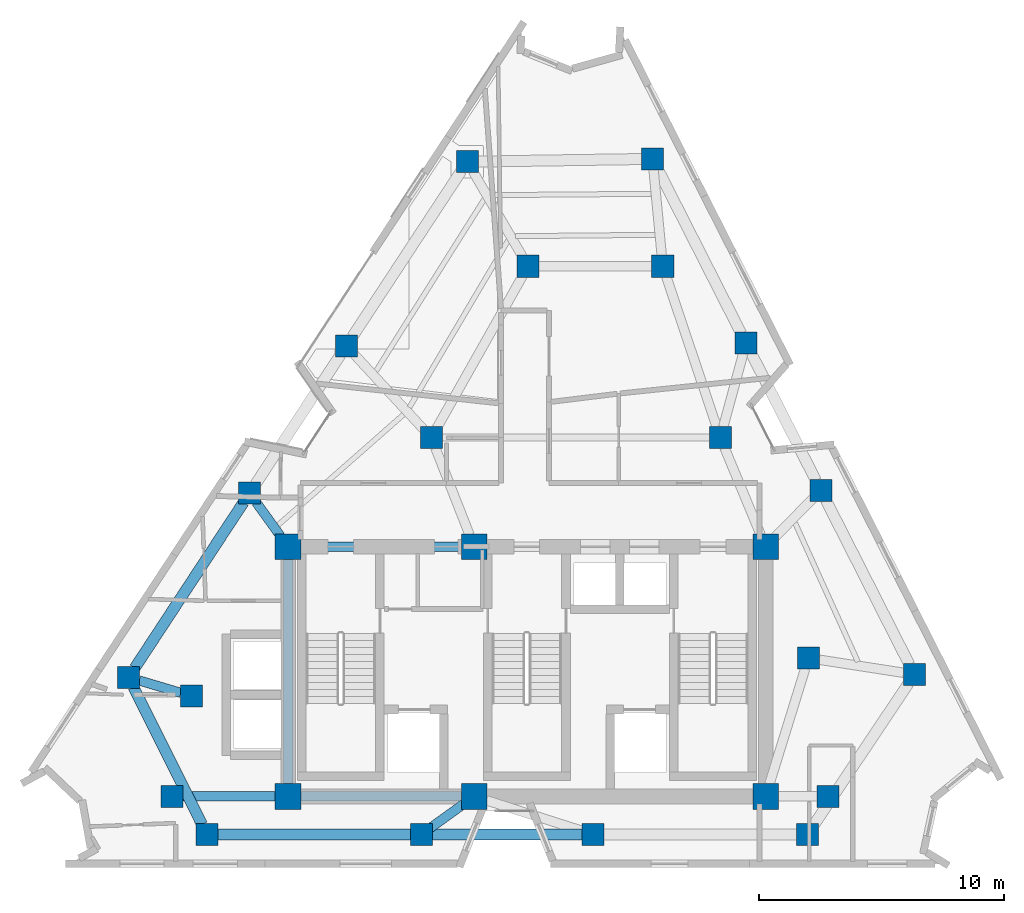
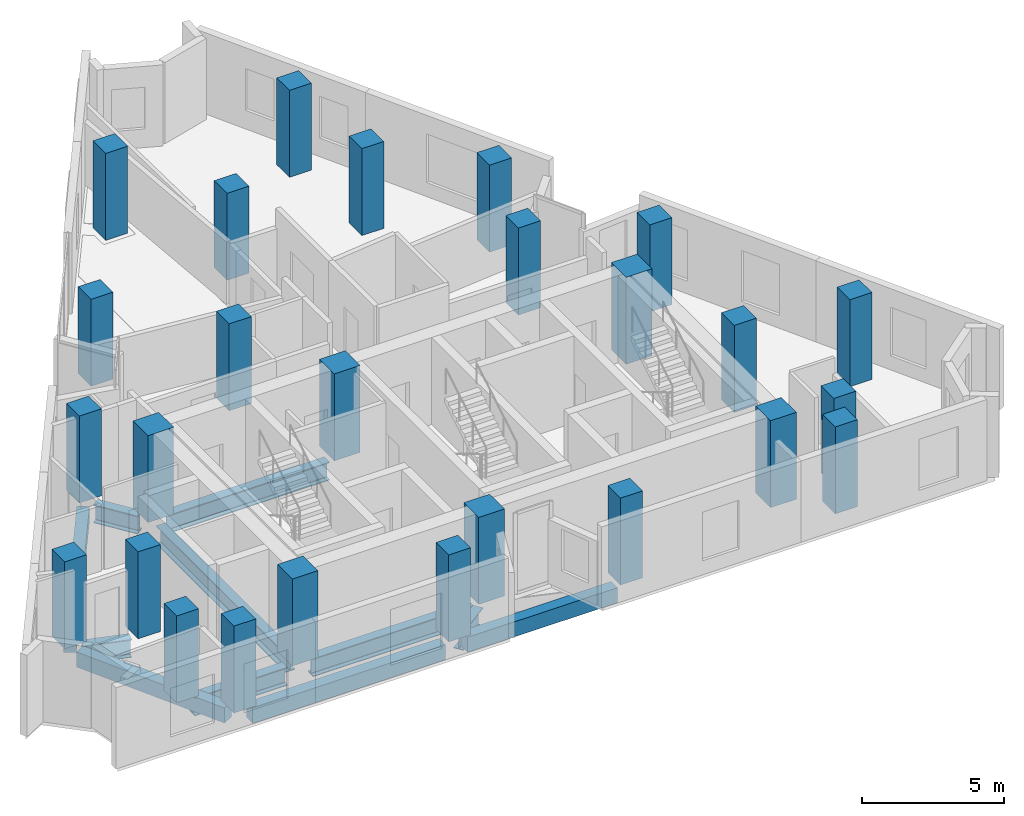
# One storey, part 1 of 8: 26 columns, 11 beams.
"""IFC4 building model written with IfcOpenShell, lengths in metres."""

from ifc_helpers import new_model, si_unit, direction, frame, origin, origin_2d, place, context, subcontext, project, spatial, rectangle, i_section, extrude, material, material_profile, profile_set, type_object, element, save


model = new_model("IFC4")

# Units and contexts
model_context = context("Model", 3, precision=1e-05, world=origin(), true_north=direction((0.0, 1.0)))
body_context = subcontext(model_context, "Body", "Model", "MODEL_VIEW")
ifc_project = project(units=[si_unit("LENGTHUNIT", "METRE"), si_unit("AREAUNIT", "SQUARE_METRE"), si_unit("VOLUMEUNIT", "CUBIC_METRE"), si_unit("PLANEANGLEUNIT", "RADIAN"), si_unit("MASSUNIT", "GRAM", prefix="KILO")], contexts=[model_context])

# Site, building, storey
site_placement = place(None, origin())
site = spatial("IfcSite", under=ifc_project, at=site_placement, CompositionType="ELEMENT")
building_placement = place(site_placement, origin())
building = spatial("IfcBuilding", under=site, at=building_placement, Name="Almagre Mirador Tower", CompositionType="ELEMENT")
storey_placement = place(building_placement, frame((0.0, 0.0, 240.75)))
storey = spatial("IfcBuildingStorey", under=building, at=storey_placement, Name="L62", CompositionType="ELEMENT", Elevation=240.75)

# Columns
ifc_material_1 = material(Name="Concrete C60/75", Category="concrete")
ifc_material_profile_1 = material_profile(ifc_material_1, rectangle(XDim=1.050048828125, YDim=1.050048828125, at=origin_2d()), Name="RC1050X1050")
ifc_profile_set_1 = profile_set([ifc_material_profile_1], Name="Concrete C60/75")
column_type_1 = type_object("IfcColumnType", Name="COL-RC1050", PredefinedType="COLUMN", material=ifc_profile_set_1)
for number, where, z_axis, x_axis, name in (
    (1, (27.550048828125, 4.550048828125, 0.0), (0.0, 0.0, 1.0), (1.0, 0.0, 0.0), "L62 core spine column CC1"),
    (2, (35.14990234375, 4.550048828125, 0.0), (0.0, 0.0, 1.0), (1.0, 0.0, 0.0), "L62 core spine column CC2"),
    (3, (47.050048828125, 4.550048828125, 0.0), (0.0, 0.0, 1.0), (1.0, 0.0, 0.0), "L62 core spine column CC3"),
    (4, (27.550048828125, 14.75, 0.0), (0.0, 0.0, 1.0), (1.0, 0.0, 0.0), "L62 core spine column CC4"),
    (5, (35.14990234375, 14.75, 0.0), (0.0, 0.0, 1.0), (1.0, 0.0, 0.0), "L62 core spine column CC5"),
    (6, (47.050048828125, 14.75, 0.0), (0.0, 0.0, 1.0), (1.0, 0.0, 0.0), "L62 core spine column CC6"),
):
    element("IfcColumn", number, at=place(storey_placement, frame(where, z_axis=z_axis, x_axis=x_axis)), inside=storey, type_object=column_type_1, Name=name, PredefinedType="COLUMN", context=body_context, shape_type="SweptSolid", body=[
        extrude(rectangle(XDim=1.050048828125, YDim=1.050048828125, at=origin_2d()), origin(), (0.0, 0.0, 1.0), 3.75),
    ])
ifc_material_2 = material(Name="Concrete C60/75", Category="concrete")
ifc_material_profile_2 = material_profile(ifc_material_2, rectangle(XDim=0.89990234375, YDim=0.89990234375, at=origin_2d()), Name="RC900X900")
ifc_profile_set_2 = profile_set([ifc_material_profile_2], Name="Concrete C60/75")
column_type_2 = type_object("IfcColumnType", Name="COL-RC900", PredefinedType="COLUMN", material=ifc_profile_set_2)
for number, where, z_axis, x_axis, name in (
    (7, (22.800048828125, 4.550048828125, 0.0), (0.0, 0.0, 1.0), (1.0, 0.0, 0.0), "L62 interior transfer column MC1"),
    (8, (49.60009765625, 4.550048828125, 0.0), (0.0, 0.0, 1.0), (1.0, 0.0, 0.0), "L62 interior transfer column MC2"),
    (9, (48.800048828125, 10.199951171875, 0.0), (0.0, 0.0, 1.0), (1.0, 0.0, 0.0), "L62 interior transfer column MC3"),
    (10, (45.199951171875, 19.199951171875, 0.0), (0.0, 0.0, 1.0), (1.0, 0.0, 0.0), "L62 interior transfer column MC5"),
    (11, (42.85009765625, 26.199951171875, 0.0), (0.0, 0.0, 1.0), (1.0, 0.0, 0.0), "L62 interior transfer column MC6"),
    (12, (37.35009765625, 26.199951171875, 0.0), (0.0, 0.0, 1.0), (1.0, 0.0, 0.0), "L62 interior transfer column MC7"),
    (13, (33.39990234375, 19.199951171875, 0.0), (0.0, 0.0, 1.0), (1.0, 0.0, 0.0), "L62 interior transfer column MC8"),
    (14, (23.60009765625, 8.64990234375, 0.0), (0.0, 0.0, 1.0), (1.0, 0.0, 0.0), "L62 interior transfer column MC10"),
    (15, (24.236083984375, 3.0, 0.0), (0.0, 0.0, 1.0), (1.0, 0.0, 0.0), "L62 perimeter column PC01"),
    (16, (32.99609375, 3.0, 0.0), (0.0, 0.0, 1.0), (1.0, 0.0, 0.0), "L62 perimeter column PC02"),
    (17, (40.00390625, 3.0, 0.0), (0.0, 0.0, 1.0), (1.0, 0.0, 0.0), "L62 perimeter column PC03"),
    (18, (48.763916015625, 3.0, 0.0), (0.0, 0.0, 1.0), (1.0, 0.0, 0.0), "L62 perimeter column PC04"),
    (19, (53.1279296875, 9.529052734375, 0.0), (0.0, 0.0, 1.0), (1.0, 0.0, 0.0), "L62 perimeter column PC05"),
    (20, (49.30810546875, 17.049072265625, 0.0), (0.0, 0.0, 1.0), (1.0, 0.0, 0.0), "L62 perimeter column PC06"),
    (21, (46.251953125, 23.06494140625, 0.0), (0.0, 0.0, 1.0), (1.0, 0.0, 0.0), "L62 perimeter column PC07"),
    (22, (42.431884765625, 30.5849609375, 0.0), (0.0, 0.0, 1.0), (1.0, 0.0, 0.0), "L62 perimeter column PC08"),
    (23, (34.868896484375, 30.468994140625, 0.0), (0.0, 0.0, 1.0), (1.0, 0.0, 0.0), "L62 perimeter column PC09"),
    (24, (29.928955078125, 22.948974609375, 0.0), (0.0, 0.0, 1.0), (1.0, 0.0, 0.0), "L62 perimeter column PC10"),
    (25, (25.97705078125, 16.93310546875, 0.0), (0.0, 0.0, 1.0), (1.0, 0.0, 0.0), "L62 perimeter column PC11"),
    (26, (21.037109375, 9.4130859375, 0.0), (0.0, 0.0, 1.0), (1.0, 0.0, 0.0), "L62 perimeter column PC12"),
):
    element("IfcColumn", number, at=place(storey_placement, frame(where, z_axis=z_axis, x_axis=x_axis)), inside=storey, type_object=column_type_2, Name=name, PredefinedType="COLUMN", context=body_context, shape_type="SweptSolid", body=[
        extrude(rectangle(XDim=0.89990234375, YDim=0.89990234375, at=origin_2d()), origin(), (0.0, 0.0, 1.0), 3.75),
    ])

# Beams
ifc_material_3 = material(Name="Precast concrete C50/60", Category="concrete")
ifc_material_profile_3 = material_profile(ifc_material_3, rectangle(XDim=0.449951171875, YDim=0.64990234375, at=origin_2d()), Name="RC450X650")
ifc_profile_set_3 = profile_set([ifc_material_profile_3], Name="Precast concrete C50/60")
beam_type_1 = type_object("IfcBeamType", Name="BM-SPN-RC450X650", PredefinedType="SPANDREL", material=ifc_profile_set_3)
beam_1_placement = place(storey_placement, frame((24.68603515625, 3.0, -0.574951171875), z_axis=(1.0, 0.0, 0.0), x_axis=(0.0, 1.0, 0.0)))
element("IfcBeam", 27, at=beam_1_placement, inside=storey, type_object=beam_type_1, Name="L62 perimeter spandrel beam PC01-PC02", PredefinedType="SPANDREL", context=body_context, shape_type="SweptSolid", body=[
    extrude(rectangle(XDim=0.449951171875, YDim=0.64990234375, at=origin_2d()), origin(), (0.0, 0.0, 1.0), 7.85986328125),
])
beam_2_placement = place(storey_placement, frame((33.446044921875, 3.0, -0.574951171875), z_axis=(1.0, 0.0, 0.0), x_axis=(0.0, 1.0, 0.0)))
element("IfcBeam", 28, at=beam_2_placement, inside=storey, type_object=beam_type_1, Name="L62 perimeter spandrel beam PC02-PC03", PredefinedType="SPANDREL", context=body_context, shape_type="SweptSolid", body=[
    extrude(rectangle(XDim=0.449951171875, YDim=0.64990234375, at=origin_2d()), origin(), (0.0, 0.0, 1.0), 6.10791015625),
])
beam_3_placement = place(storey_placement, frame((25.72998046875, 16.556884765625, -0.574951171875), z_axis=(-0.54903769876, -0.835797586345, 0.0), x_axis=(0.835797586345, -0.54903769876, 0.0)))
element("IfcBeam", 29, at=beam_3_placement, inside=storey, type_object=beam_type_1, Name="L62 perimeter spandrel beam PC11-PC12", PredefinedType="SPANDREL", context=body_context, shape_type="SweptSolid", body=[
    extrude(rectangle(XDim=0.449951171875, YDim=0.64990234375, at=origin_2d()), origin(), (0.0, 0.0, 1.0), 8.097412109375),
])
beam_4_placement = place(storey_placement, frame((21.23779296875, 9.01025390625, -0.574951171875), z_axis=(0.446387482803, -0.894839770684, 0.0), x_axis=(0.894839770684, 0.446387482803, 0.0)))
element("IfcBeam", 30, at=beam_4_placement, inside=storey, type_object=beam_type_1, Name="L62 perimeter spandrel beam PC12-PC01", PredefinedType="SPANDREL", context=body_context, shape_type="SweptSolid", body=[
    extrude(rectangle(XDim=0.449951171875, YDim=0.64990234375, at=origin_2d()), origin(), (0.0, 0.0, 1.0), 6.2666015625),
])
ifc_material_4 = material(Name="Steel ASTM A992 Grade 50", Category="steel")
ifc_material_profile_4 = material_profile(ifc_material_4, i_section(OverallWidth=0.384033203125, OverallDepth=0.784912109375, WebThickness=0.019775390625, FlangeThickness=0.033447265625, FilletRadius=0.02392578125, at=origin_2d()), Name="W30X211")
ifc_profile_set_4 = profile_set([ifc_material_profile_4], Name="Steel ASTM A992 Grade 50")
beam_type_2 = type_object("IfcBeamType", Name="BM-STL-W30X211", PredefinedType="BEAM", material=ifc_profile_set_4)
for number, where, z_axis, x_axis, name in (
    (31, (28.074951171875, 4.550048828125, -0.642578125), (1.0, 0.0, 0.0), (0.0, 1.0, 0.0), "L62 core tie girder CC1-CC2"),
    (32, (28.074951171875, 14.75, -0.642578125), (1.0, 0.0, 0.0), (0.0, 1.0, 0.0), "L62 core tie girder CC4-CC5"),
):
    element("IfcBeam", number, at=place(storey_placement, frame(where, z_axis=z_axis, x_axis=x_axis)), inside=storey, type_object=beam_type_2, Name=name, PredefinedType="BEAM", context=body_context, shape_type="SweptSolid", body=[
        extrude(i_section(OverallWidth=0.384033203125, OverallDepth=0.784912109375, WebThickness=0.019775390625, FlangeThickness=0.033447265625, FilletRadius=0.02392578125, at=origin_2d()), origin(), (0.0, 0.0, 1.0), 6.550048828125),
    ])
beam_5_placement = place(storey_placement, frame((27.550048828125, 5.074951171875, -0.642578125), z_axis=(0.0, 1.0, 0.0), x_axis=(-1.0, 0.0, 0.0)))
element("IfcBeam", 33, at=beam_5_placement, inside=storey, type_object=beam_type_2, Name="L62 core tie girder CC1-CC4", PredefinedType="BEAM", context=body_context, shape_type="SweptSolid", body=[
    extrude(i_section(OverallWidth=0.384033203125, OverallDepth=0.784912109375, WebThickness=0.019775390625, FlangeThickness=0.033447265625, FilletRadius=0.02392578125, at=origin_2d()), origin(), (0.0, 0.0, 1.0), 9.150146484375),
])
beam_6_placement = place(storey_placement, frame((23.25, 4.550048828125, -0.642578125), z_axis=(1.0, 0.0, 0.0), x_axis=(0.0, 1.0, 0.0)))
element("IfcBeam", 34, at=beam_6_placement, inside=storey, type_object=beam_type_2, Name="L62 core tie girder MC1-CC1", PredefinedType="BEAM", context=body_context, shape_type="SweptSolid", body=[
    extrude(i_section(OverallWidth=0.384033203125, OverallDepth=0.784912109375, WebThickness=0.019775390625, FlangeThickness=0.033447265625, FilletRadius=0.02392578125, at=origin_2d()), origin(), (0.0, 0.0, 1.0), 3.77490234375),
])
beam_7_placement = place(storey_placement, frame((33.361328125, 3.2626953125, -0.642578125), z_axis=(0.81162535726, 0.584178294233, 0.0), x_axis=(-0.584178294233, 0.81162535726, 0.0)))
element("IfcBeam", 35, at=beam_7_placement, inside=storey, type_object=beam_type_2, Name="L62 radial floor girder PC02-CC2", PredefinedType="BEAM", context=body_context, shape_type="SweptSolid", body=[
    extrude(i_section(OverallWidth=0.384033203125, OverallDepth=0.784912109375, WebThickness=0.019775390625, FlangeThickness=0.033447265625, FilletRadius=0.02392578125, at=origin_2d()), origin(), (0.0, 0.0, 1.0), 1.6787109375),
])
beam_8_placement = place(storey_placement, frame((26.239990234375, 16.56787109375, -0.642578125), z_axis=(0.584638267921, -0.81129408705, 0.0), x_axis=(0.81129408705, 0.584638267921, 0.0)))
element("IfcBeam", 36, at=beam_8_placement, inside=storey, type_object=beam_type_2, Name="L62 radial floor girder PC11-CC4", PredefinedType="BEAM", context=body_context, shape_type="SweptSolid", body=[
    extrude(i_section(OverallWidth=0.384033203125, OverallDepth=0.784912109375, WebThickness=0.019775390625, FlangeThickness=0.033447265625, FilletRadius=0.02392578125, at=origin_2d()), origin(), (0.0, 0.0, 1.0), 1.7158203125),
])
beam_9_placement = place(storey_placement, frame((21.46826171875, 9.28466796875, -0.642578125), z_axis=(0.958411312387, -0.285390532935, 0.0), x_axis=(0.285390532935, 0.958411312387, 0.0)))
element("IfcBeam", 37, at=beam_9_placement, inside=storey, type_object=beam_type_2, Name="L62 radial floor girder PC12-MC10", PredefinedType="BEAM", context=body_context, shape_type="SweptSolid", body=[
    extrude(i_section(OverallWidth=0.384033203125, OverallDepth=0.784912109375, WebThickness=0.019775390625, FlangeThickness=0.033447265625, FilletRadius=0.02392578125, at=origin_2d()), origin(), (0.0, 0.0, 1.0), 1.774169921875),
])

save(model, "model.ifc")
